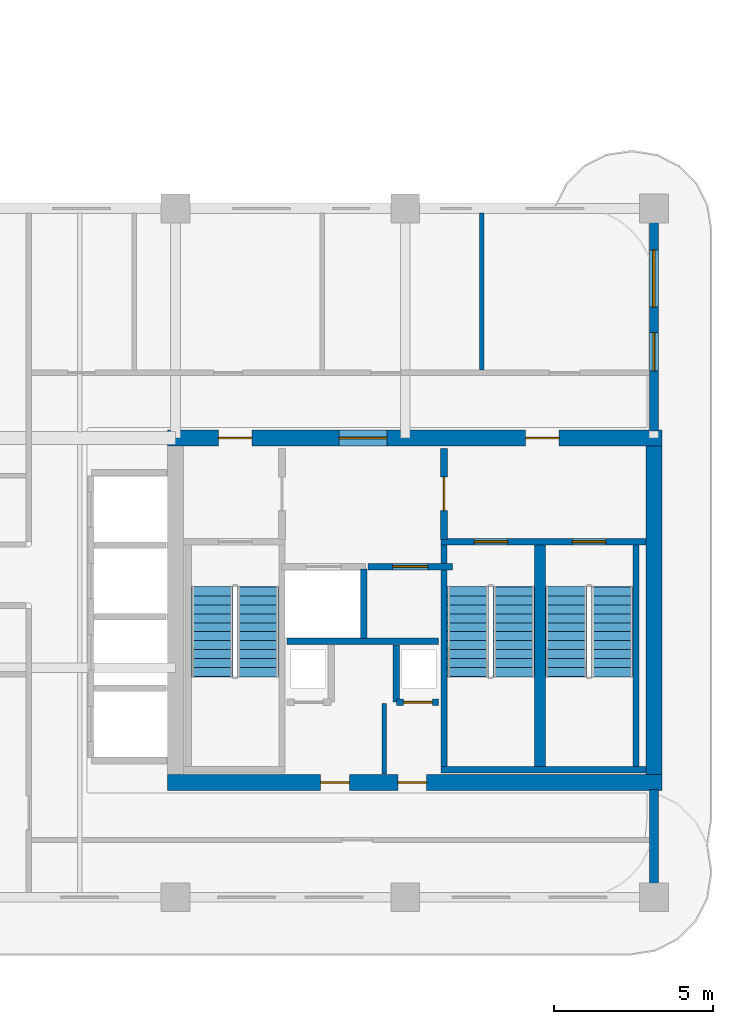
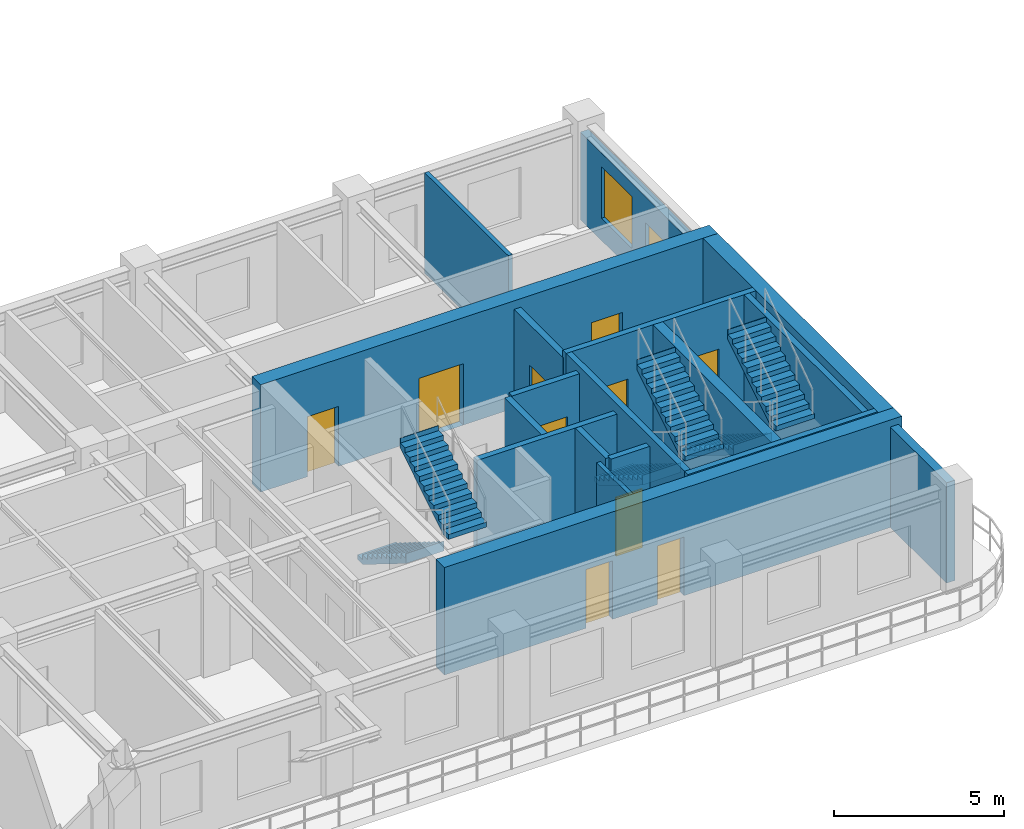
# One storey, part 5 of 8: 18 walls, 11 doors, 6 stair flights, 1 window, 12 openings, 3 elements without a shape of their own.
"""IFC4 building model written with IfcOpenShell, lengths in metres."""

import ifcopenshell
import ifcopenshell.guid

model = None  # the IFC model being written
_history = None  # IfcOwnerHistory: only IFC2X3 demands one
_inside = {}  # id of a spatial element -> (the spatial element, [elements in it])
_under = {}  # id of a project, library or spatial element -> (it, [spatial elements below it])
_declared = {}  # id of a project -> (the project, [libraries it declares])
_typed = {}  # id of a type object -> (the type object, [elements of that type])
_made_of = {}  # id of a material, layer set ... -> (it, [elements and type objects made of it])


def new_model(schema):
    """Start an empty IFC model of exactly this schema.

    Asked for "IFC4X3", IfcOpenShell would pick the latest addendum, in which some entities
    have other attributes; the version numbers below select the first issue.
    IFC2X3 requires an IfcOwnerHistory on every rooted entity: one is made here for all.
    """
    global model, _history
    if schema == "IFC4X3":
        model = ifcopenshell.file(schema_version=(4, 3, 0, 0))
    else:
        model = ifcopenshell.file(schema=schema)
    _inside.clear()
    _under.clear()
    _declared.clear()
    _typed.clear()
    _made_of.clear()
    _history = None
    if model.schema == "IFC2X3":
        org = make("IfcOrganization", Name="unknown")
        user = make(
            "IfcPersonAndOrganization",
            ThePerson=make("IfcPerson", FamilyName="unknown"),
            TheOrganization=org,
        )
        app = make(
            "IfcApplication",
            ApplicationDeveloper=org,
            Version="unknown",
            ApplicationFullName="unknown",
            ApplicationIdentifier="unknown",
        )
        _history = make(
            "IfcOwnerHistory",
            OwningUser=user,
            OwningApplication=app,
            ChangeAction="ADDED",
            CreationDate=0,
        )
    return model


def make(cls, **values):
    """One entity of the class cls with the attributes given. An attribute that is None is left unset."""
    return model.create_entity(
        cls, **{name: value for name, value in values.items() if value is not None}
    )


def rooted(cls, **values):
    """An entity with a GlobalId (a new one), such as an element, a storey or a relation."""
    return make(cls, GlobalId=ifcopenshell.guid.new(), OwnerHistory=_history, **values)


def si_unit(unit_type, name, prefix=None):
    """IfcSIUnit, for example si_unit("LENGTHUNIT", "METRE", prefix="MILLI")."""
    return make("IfcSIUnit", UnitType=unit_type, Prefix=prefix, Name=name)


def derived_unit(unit_type, elements):
    """IfcDerivedUnit: a product of units, each with its exponent."""
    return make(
        "IfcDerivedUnit",
        Elements=[
            make("IfcDerivedUnitElement", Unit=unit, Exponent=power)
            for unit, power in elements
        ],
        UnitType=unit_type,
    )


def assignment(units):
    """IfcUnitAssignment: the units of a project."""
    return None if units is None else make("IfcUnitAssignment", Units=units)


def point(xyz):
    """IfcCartesianPoint."""
    return None if xyz is None else make("IfcCartesianPoint", Coordinates=xyz)


def direction(xyz):
    """IfcDirection."""
    return None if xyz is None else make("IfcDirection", DirectionRatios=xyz)


def frame(location, z_axis=None, x_axis=None):
    """IfcAxis2Placement3D, a coordinate frame: its origin and axes. An axis left out is left unset."""
    return make(
        "IfcAxis2Placement3D",
        Location=point(location),
        Axis=direction(z_axis),
        RefDirection=direction(x_axis),
    )


def frame_2d(location, x_axis=None):
    """IfcAxis2Placement2D, a coordinate frame in the plane: its origin and x axis."""
    return make(
        "IfcAxis2Placement2D", Location=point(location), RefDirection=direction(x_axis)
    )


def origin():
    """The frame at (0, 0, 0) with its axes left unset."""
    return frame((0.0, 0.0, 0.0))


def place(relative_to, where):
    """IfcLocalPlacement: puts the frame where relative to a parent placement (None: the world)."""
    return make(
        "IfcLocalPlacement", PlacementRelTo=relative_to, RelativePlacement=where
    )


def context(
    kind, dimensions, precision=None, world=None, true_north=None, identifier=None
):
    """IfcGeometricRepresentationContext, for example the 3D "Model" context."""
    return make(
        "IfcGeometricRepresentationContext",
        ContextIdentifier=identifier,
        ContextType=kind,
        CoordinateSpaceDimension=dimensions,
        Precision=precision,
        WorldCoordinateSystem=world,
        TrueNorth=true_north,
    )


def subcontext(parent, identifier, kind, view, scale=None):
    """IfcGeometricRepresentationSubContext, for example "Body" below "Model"."""
    return make(
        "IfcGeometricRepresentationSubContext",
        ContextIdentifier=identifier,
        ContextType=kind,
        ParentContext=parent,
        TargetScale=scale,
        TargetView=view,
    )


def project(units=None, contexts=None):
    """IfcProject with its units and contexts."""
    return rooted(
        "IfcProject",
        Name="project",
        RepresentationContexts=contexts,
        UnitsInContext=assignment(units),
    )


def spatial(cls, under=None, at=None, **own):
    """A site, building, storey or space (cls), placed at a placement, below another one or the project."""
    s = rooted(cls, ObjectPlacement=at, **own)
    if under is not None:
        _under.setdefault(under.id(), (under, []))[1].append(s)
    return s


def polyline(points):
    """IfcPolyline through the points."""
    return make("IfcPolyline", Points=[point(p) for p in points])


def profile(cls, at=None, kind="AREA", **sizes):
    """A parametric profile (cls). Its sizes go by their IFC names, for example OverallWidth=200.0."""
    return make(cls, ProfileType=kind, Position=at, **sizes)


def rectangle(**sizes):
    """IfcRectangleProfileDef."""
    return profile("IfcRectangleProfileDef", **sizes)


def outline(outer, holes=None, kind="AREA"):
    """IfcArbitraryClosedProfileDef: a profile drawn as a closed curve; with holes, ...WithVoids."""
    if holes is None:
        return make("IfcArbitraryClosedProfileDef", ProfileType=kind, OuterCurve=outer)
    return make(
        "IfcArbitraryProfileDefWithVoids",
        ProfileType=kind,
        OuterCurve=outer,
        InnerCurves=holes,
    )


def extrude(swept, where, along, depth):
    """IfcExtrudedAreaSolid: the profile swept, set in the frame where, extruded along a direction by depth."""
    return make(
        "IfcExtrudedAreaSolid",
        SweptArea=swept,
        Position=where,
        ExtrudedDirection=direction(along),
        Depth=depth,
    )


def shape(context_of_items, identifier, shape_type, items):
    """IfcShapeRepresentation: the items that make up one representation, for example the "Body"."""
    return make(
        "IfcShapeRepresentation",
        ContextOfItems=context_of_items,
        RepresentationIdentifier=identifier,
        RepresentationType=shape_type,
        Items=items,
    )


def source(mapping_origin, context_of_items, identifier, shape_type, items):
    """IfcRepresentationMap: a shape defined once, which mapped items show again and again."""
    return make(
        "IfcRepresentationMap",
        MappingOrigin=mapping_origin,
        MappedRepresentation=shape(context_of_items, identifier, shape_type, items),
    )


def transform(
    local_origin,
    x_axis=None,
    y_axis=None,
    z_axis=None,
    scale=None,
    scale2=None,
    scale3=None,
    uniform=True,
):
    """IfcCartesianTransformationOperator3D, or its non-uniform kind. x_axis, y_axis, z_axis: its Axis1, 2, 3."""
    if uniform:
        return make(
            "IfcCartesianTransformationOperator3D",
            Axis1=direction(x_axis),
            Axis2=direction(y_axis),
            LocalOrigin=point(local_origin),
            Scale=scale,
            Axis3=direction(z_axis),
        )
    return make(
        "IfcCartesianTransformationOperator3DnonUniform",
        Axis1=direction(x_axis),
        Axis2=direction(y_axis),
        LocalOrigin=point(local_origin),
        Scale=scale,
        Axis3=direction(z_axis),
        Scale2=scale2,
        Scale3=scale3,
    )


def mapped(mapping_source, mapping_target):
    """IfcMappedItem: shows the shape of a source again, moved by a transform."""
    return make(
        "IfcMappedItem", MappingSource=mapping_source, MappingTarget=mapping_target
    )


def material(Name=None, Category=None):
    """IfcMaterial."""
    return make("IfcMaterial", Name=Name, Category=Category)


def layer(
    of_material, thickness, ventilated=None, Name=None, Category=None, Priority=None
):
    """IfcMaterialLayer: one layer of a wall or slab, of a material (None: an air gap)."""
    return make(
        "IfcMaterialLayer",
        Material=of_material,
        LayerThickness=thickness,
        IsVentilated=ventilated,
        Name=Name,
        Category=Category,
        Priority=Priority,
    )


def layer_set(layers, Name=None):
    """IfcMaterialLayerSet."""
    return make("IfcMaterialLayerSet", MaterialLayers=layers, LayerSetName=Name)


def made_of(thing, what):
    """Note that an element or type object is made of a material, layer set ...; save() writes the relation."""
    if what is not None:
        _made_of.setdefault(what.id(), (what, []))[1].append(thing)
    return thing


def type_object(cls, material=None, **own):
    """A type object (cls), such as IfcWallType, which elements share."""
    return made_of(rooted(cls, **own), material)


def type_shapes(of_type, sources):
    """Give a type object the sources (RepresentationMaps) that its elements show as mapped items."""
    of_type.RepresentationMaps = sources


def element(
    cls,
    number,
    at=None,
    inside=None,
    cuts=None,
    type_object=None,
    material=None,
    context=None,
    identifier="Body",
    shape_type=None,
    held_by="IfcProductDefinitionShape",
    body=None,
    shapes=None,
    **own,
):
    """One element of the class cls, such as IfcWall. Its Tag is "e" and its number.

    at: its placement. inside: the storey or other place that contains it. cuts: it is an
    opening in that element (IfcRelVoidsElement). A single representation is given by context,
    identifier, shape_type and body (its items); several are given by shapes. held_by: the class
    of the entity that holds the representations. save() writes the other relations.
    """
    e = rooted(cls, Tag="e%d" % number, ObjectPlacement=at, **own)
    if body is not None:
        shapes = [shape(context, identifier, shape_type, body)]
    if shapes is not None:
        e.Representation = make(held_by, Representations=shapes)
    if inside is not None:
        _inside.setdefault(inside.id(), (inside, []))[1].append(e)
    if cuts is not None:
        rooted(
            "IfcRelVoidsElement", RelatingBuildingElement=cuts, RelatedOpeningElement=e
        )
    if type_object is not None:
        _typed.setdefault(type_object.id(), (type_object, []))[1].append(e)
    return made_of(e, material)


def fill(opening, filler):
    """IfcRelFillsElement: the door or window that sits in an opening."""
    return rooted(
        "IfcRelFillsElement",
        RelatingOpeningElement=opening,
        RelatedBuildingElement=filler,
    )


def aggregate(whole, parts):
    """IfcRelAggregates: a whole, such as a stair, and the parts it consists of."""
    return rooted("IfcRelAggregates", RelatingObject=whole, RelatedObjects=parts)


def save(model, path):
    """Write the relations noted so far, then the file.

    IfcRelAggregates (storeys below a building ...), IfcRelContainedInSpatialStructure (elements
    in a storey), IfcRelDefinesByType, IfcRelAssociatesMaterial and IfcRelDeclares: one each for
    every whole, place, type object, material and project.
    """
    for whole, parts in _under.values():
        aggregate(whole, parts)
    for where, things in _inside.values():
        rooted(
            "IfcRelContainedInSpatialStructure",
            RelatedElements=things,
            RelatingStructure=where,
        )
    for kind, things in _typed.values():
        rooted("IfcRelDefinesByType", RelatedObjects=things, RelatingType=kind)
    for what, things in _made_of.values():
        rooted("IfcRelAssociatesMaterial", RelatedObjects=things, RelatingMaterial=what)
    for by, libraries in _declared.values():
        rooted("IfcRelDeclares", RelatingContext=by, RelatedDefinitions=libraries)
    model.write(path)


model = new_model("IFC4")

# Units and contexts
model_context = context("Model", 3, precision=1e-05, world=origin(), true_north=direction((0.0, 1.0)))
body_context = subcontext(model_context, "Body", "Model", "MODEL_VIEW")
ifc_project = project(units=[si_unit("LENGTHUNIT", "METRE"), si_unit("AREAUNIT", "SQUARE_METRE"), si_unit("VOLUMEUNIT", "CUBIC_METRE"), si_unit("PLANEANGLEUNIT", "RADIAN"), si_unit("MASSUNIT", "GRAM", prefix="KILO"), si_unit("THERMODYNAMICTEMPERATUREUNIT", "KELVIN"), si_unit("POWERUNIT", "WATT"), derived_unit("THERMALTRANSMITTANCEUNIT", [(si_unit("POWERUNIT", "WATT"), 1), (si_unit("AREAUNIT", "SQUARE_METRE"), -1), (si_unit("THERMODYNAMICTEMPERATUREUNIT", "KELVIN"), -1)])], contexts=[model_context])

# Site, building, storey
site_placement = place(None, origin())
site = spatial("IfcSite", under=ifc_project, at=site_placement, CompositionType="ELEMENT")
building_placement = place(site_placement, origin())
building = spatial("IfcBuilding", under=site, at=building_placement, Name="Zahravan Archway Hotel and Residences", CompositionType="ELEMENT")
storey_placement = place(building_placement, frame((0.0, 0.0, 213.449951171875)))
storey = spatial("IfcBuildingStorey", under=building, at=storey_placement, Name="L53", CompositionType="ELEMENT", Elevation=213.449951171875)

# Wall, openings, doors
ifc_material_1 = material(Name="Concrete C60/75", Category="concrete")
ifc_layer_1 = layer(ifc_material_1, 0.5, Name="Concrete C60/75", Category="concrete")
ifc_layer_set_1 = layer_set([ifc_layer_1], Name="Concrete C60/75")
wall_type_1 = type_object("IfcWallType", Name="CW-CORE-500", PredefinedType="SHEAR", material=ifc_layer_set_1)
wall_1_placement = place(storey_placement, frame((34.550048828125, 3.60009765625, 0.0), z_axis=(0.0, 0.0, 1.0), x_axis=(1.0, 0.0, 0.0)))
wall_1 = element("IfcWall", 1, at=wall_1_placement, inside=storey, type_object=wall_type_1, Name="L53 Core A Shear S Wall 500 mm", PredefinedType="SHEAR", context=body_context, shape_type="SweptSolid", body=[
    extrude(rectangle(XDim=15.5, YDim=0.5, at=frame_2d((7.75, 0.0))), origin(), (0.0, 0.0, 1.0), 3.85009765625),
])
opening_1_placement = place(wall_1_placement, frame((4.800048828125, 0.0, 0.0)))
opening_1 = element("IfcOpeningElement", 2, at=opening_1_placement, cuts=wall_1, Name="Opening FD-R1", PredefinedType="OPENING", context=body_context, shape_type="SweptSolid", body=[
    extrude(rectangle(XDim=0.89990234375, YDim=2.10009765625, at=frame_2d((0.449951171875, 1.050048828125))), frame((0.0, 0.260009765625, 0.0), z_axis=(0.0, -1.0, 0.0), x_axis=(1.0, 0.0, 0.0)), (0.0, 0.0, 1.0), 0.52001953125),
])
opening_2_placement = place(wall_1_placement, frame((7.219970703125, 0.0, 0.0)))
opening_2 = element("IfcOpeningElement", 3, at=opening_2_placement, cuts=wall_1, Name="Opening FD-R1", PredefinedType="OPENING", context=body_context, shape_type="SweptSolid", body=[
    extrude(rectangle(XDim=0.89990234375, YDim=2.10009765625, at=frame_2d((0.449951171875, 1.050048828125))), frame((0.0, 0.260009765625, 0.0), z_axis=(0.0, -1.0, 0.0), x_axis=(1.0, 0.0, 0.0)), (0.0, 0.0, 1.0), 0.52001953125),
])
ifc_material_2 = material(Name="Fire-Rated Painted Steel", Category="steel")
door_type_1 = type_object("IfcDoorType", Name="FD-RISER-900", OperationType="NOTDEFINED", PredefinedType="DOOR", material=ifc_material_2)
shared_shape_1 = source(origin(), body_context, "Body", "SweptSolid", [
    extrude(rectangle(XDim=0.89990234375, YDim=2.10009765625, at=frame_2d((0.449951171875, 1.050048828125))), frame((0.0, 0.02490234375, 0.0), z_axis=(0.0, -1.0, 0.0), x_axis=(1.0, 0.0, 0.0)), (0.0, 0.0, 1.0), 0.050048828125),
])
type_shapes(door_type_1, [shared_shape_1])
door_1_placement = place(opening_1_placement, origin())
door_1 = element("IfcDoor", 4, at=door_1_placement, inside=storey, type_object=door_type_1, Name="L53 Service Pantry Door", OperationType="SINGLE_SWING_LEFT", OverallHeight=2.10009765625, OverallWidth=0.89990234375, PredefinedType="DOOR", context=body_context, shape_type="MappedRepresentation", body=[
    mapped(shared_shape_1, transform((0.0, 0.0, 0.0), scale=1.0)),
])
fill(opening_1, door_1)
door_2_placement = place(opening_2_placement, origin())
door_2 = element("IfcDoor", 5, at=door_2_placement, inside=storey, type_object=door_type_1, Name="L53 Fibre ELV Riser Door", OperationType="SINGLE_SWING_RIGHT", OverallHeight=2.10009765625, OverallWidth=0.89990234375, PredefinedType="DOOR", context=body_context, shape_type="MappedRepresentation", body=[
    mapped(shared_shape_1, transform((0.0, 0.0, 0.0), scale=1.0)),
])
fill(opening_2, door_2)

wall_2_placement = place(storey_placement, frame((34.550048828125, 14.39990234375, 0.0), z_axis=(0.0, 0.0, 1.0), x_axis=(1.0, 0.0, 0.0)))
wall_2 = element("IfcWall", 6, at=wall_2_placement, inside=storey, type_object=wall_type_1, Name="L53 Core A Shear N Wall 500 mm", PredefinedType="SHEAR", context=body_context, shape_type="SweptSolid", body=[
    extrude(rectangle(XDim=15.5, YDim=0.5, at=frame_2d((7.75, 0.0))), origin(), (0.0, 0.0, 1.0), 3.85009765625),
])
opening_3_placement = place(wall_2_placement, frame((5.3798828125, 0.0, 0.0)))
opening_3 = element("IfcOpeningElement", 7, at=opening_3_placement, cuts=wall_2, Name="Opening FD-L1", PredefinedType="OPENING", context=body_context, shape_type="SweptSolid", body=[
    extrude(rectangle(XDim=1.5, YDim=2.199951171875, at=frame_2d((0.75, 1.10009765625))), frame((0.0, 0.260009765625, 0.0), z_axis=(0.0, -1.0, 0.0), x_axis=(1.0, 0.0, 0.0)), (0.0, 0.0, 1.0), 0.52001953125),
])
opening_4_placement = place(wall_2_placement, frame((1.594970703125, 0.0, 0.0)))
opening_4 = element("IfcOpeningElement", 8, at=opening_4_placement, cuts=wall_2, Name="Opening FD-L2", PredefinedType="OPENING", context=body_context, shape_type="SweptSolid", body=[
    extrude(rectangle(XDim=1.050048828125, YDim=2.14990234375, at=frame_2d((0.52490234375, 1.074951171875))), frame((0.0, 0.260009765625, 0.0), z_axis=(0.0, -1.0, 0.0), x_axis=(1.0, 0.0, 0.0)), (0.0, 0.0, 1.0), 0.52001953125),
])
opening_5_placement = place(wall_2_placement, frame((11.22509765625, 0.0, 0.0)))
opening_5 = element("IfcOpeningElement", 9, at=opening_5_placement, cuts=wall_2, Name="Opening FD-L2", PredefinedType="OPENING", context=body_context, shape_type="SweptSolid", body=[
    extrude(rectangle(XDim=1.050048828125, YDim=2.14990234375, at=frame_2d((0.52490234375, 1.074951171875))), frame((0.0, 0.260009765625, 0.0), z_axis=(0.0, -1.0, 0.0), x_axis=(1.0, 0.0, 0.0)), (0.0, 0.0, 1.0), 0.52001953125),
])
door_type_2 = type_object("IfcDoorType", Name="FD-LOBBY-1100", OperationType="NOTDEFINED", PredefinedType="DOOR", material=ifc_material_2)
shared_shape_2 = source(origin(), body_context, "Body", "SweptSolid", [
    extrude(rectangle(XDim=1.050048828125, YDim=2.14990234375, at=frame_2d((0.52490234375, 1.074951171875))), frame((0.0, 0.02490234375, 0.0), z_axis=(0.0, -1.0, 0.0), x_axis=(1.0, 0.0, 0.0)), (0.0, 0.0, 1.0), 0.050048828125),
])
type_shapes(door_type_2, [shared_shape_2])
door_3_placement = place(opening_4_placement, origin())
door_3 = element("IfcDoor", 10, at=door_3_placement, inside=storey, type_object=door_type_2, Name="L53 Core A West Stair Lobby Door", OperationType="SINGLE_SWING_LEFT", OverallHeight=2.14990234375, OverallWidth=1.050048828125, PredefinedType="DOOR", context=body_context, shape_type="MappedRepresentation", body=[
    mapped(shared_shape_2, transform((0.0, 0.0, 0.0), scale=1.0)),
])
fill(opening_4, door_3)
door_4_placement = place(opening_5_placement, origin())
door_4 = element("IfcDoor", 11, at=door_4_placement, inside=storey, type_object=door_type_2, Name="L53 Core A East Stair Lobby Door", OperationType="SINGLE_SWING_RIGHT", OverallHeight=2.14990234375, OverallWidth=1.050048828125, PredefinedType="DOOR", context=body_context, shape_type="MappedRepresentation", body=[
    mapped(shared_shape_2, transform((0.0, 0.0, 0.0), scale=1.0)),
])
fill(opening_5, door_4)
door_type_3 = type_object("IfcDoorType", Name="FD-LOBBY-1500", OperationType="DOUBLE_DOOR_SINGLE_SWING", PredefinedType="DOOR", material=ifc_material_2)
shared_shape_3 = source(origin(), body_context, "Body", "SweptSolid", [
    extrude(rectangle(XDim=1.5, YDim=2.199951171875, at=frame_2d((0.75, 1.10009765625))), frame((0.0, 0.02490234375, 0.0), z_axis=(0.0, -1.0, 0.0), x_axis=(1.0, 0.0, 0.0)), (0.0, 0.0, 1.0), 0.050048828125),
])
type_shapes(door_type_3, [shared_shape_3])
door_5_placement = place(opening_3_placement, origin())
door_5 = element("IfcDoor", 12, at=door_5_placement, inside=storey, type_object=door_type_3, Name="L53 Core A FSAE Lobby Main Door", OperationType="DOUBLE_DOOR_SINGLE_SWING", OverallHeight=2.199951171875, OverallWidth=1.5, PredefinedType="DOOR", context=body_context, shape_type="MappedRepresentation", body=[
    mapped(shared_shape_3, transform((0.0, 0.0, 0.0), scale=1.0)),
])
fill(opening_3, door_5)

# Walls
wall_3_placement = place(storey_placement, frame((49.800048828125, 3.85009765625, 0.0), z_axis=(0.0, 0.0, 1.0), x_axis=(0.0, 1.0, 0.0)))
element("IfcWall", 13, at=wall_3_placement, inside=storey, type_object=wall_type_1, Name="L53 Core A Shear E Wall 500 mm", PredefinedType="SHEAR", context=body_context, shape_type="SweptSolid", body=[
    extrude(rectangle(XDim=10.2998046875, YDim=0.5, at=frame_2d((5.14990234375, 0.0))), origin(), (0.0, 0.0, 1.0), 3.85009765625),
])
ifc_material_3 = material(Name="Honed Red-Ochre Sandstone & Insulated Block", Category="masonry")
ifc_layer_2 = layer(ifc_material_3, 0.280029296875, Name="Honed Red-Ochre Sandstone & Insulated Block", Category="masonry")
ifc_layer_set_2 = layer_set([ifc_layer_2], Name="Honed Red-Ochre Sandstone & Insulated Block")
wall_type_2 = type_object("IfcWallType", Name="EW-LOG-280", PredefinedType="SOLIDWALL", material=ifc_layer_set_2)
wall_4_placement = place(storey_placement, frame((49.800048828125, 0.050048828125, 0.0), z_axis=(0.0, 0.0, 1.0), x_axis=(0.0, 1.0, 0.0)))
element("IfcWall", 14, at=wall_4_placement, inside=storey, type_object=wall_type_2, Name="L53 Exterior Sandstone Wall WA-ES", PredefinedType="SOLIDWALL", context=body_context, shape_type="SweptSolid", body=[
    extrude(rectangle(XDim=3.329833984375, YDim=0.280029296875, at=frame_2d((1.6650390625, 0.0))), origin(), (0.0, 0.0, 1.0), 3.60009765625),
])

# Wall, openings, door, window
wall_5_placement = place(storey_placement, frame((49.800048828125, 14.6201171875, 0.0), z_axis=(0.0, 0.0, 1.0), x_axis=(0.0, 1.0, 0.0)))
wall_5 = element("IfcWall", 15, at=wall_5_placement, inside=storey, type_object=wall_type_2, Name="L53 Exterior Sandstone Wall WA-EN", PredefinedType="SOLIDWALL", context=body_context, shape_type="SweptSolid", body=[
    extrude(rectangle(XDim=6.929931640625, YDim=0.280029296875, at=frame_2d((3.46484375, 0.0))), origin(), (0.0, 0.0, 1.0), 3.135009765625),
])
opening_6_placement = place(wall_5_placement, frame((1.888916015625, 0.0, 0.0)))
opening_6 = element("IfcOpeningElement", 16, at=opening_6_placement, cuts=wall_5, Name="Opening ED-BL1", PredefinedType="OPENING", context=body_context, shape_type="SweptSolid", body=[
    extrude(rectangle(XDim=1.199951171875, YDim=2.199951171875, at=frame_2d((0.60009765625, 1.10009765625))), frame((0.0, 0.14990234375, 0.0), z_axis=(0.0, -1.0, 0.0), x_axis=(1.0, 0.0, 0.0)), (0.0, 0.0, 1.0), 0.300048828125),
])
opening_7_placement = place(wall_5_placement, frame((3.884033203125, 0.0, 0.800048828125)))
opening_7 = element("IfcOpeningElement", 17, at=opening_7_placement, cuts=wall_5, Name="Opening W-02", PredefinedType="OPENING", context=body_context, shape_type="SweptSolid", body=[
    extrude(rectangle(XDim=1.800048828125, YDim=1.85009765625, at=frame_2d((0.89990234375, 0.925048828125))), frame((0.0, 0.14990234375, 0.0), z_axis=(0.0, -1.0, 0.0), x_axis=(1.0, 0.0, 0.0)), (0.0, 0.0, 1.0), 0.300048828125),
])
ifc_material_4 = material(Name="Bronze-Anodized Glazed Aluminium", Category="aluminium")
door_type_4 = type_object("IfcDoorType", Name="ED-BALC-1200", OperationType="SLIDING_TO_LEFT", PredefinedType="DOOR", material=ifc_material_4)
shared_shape_4 = source(origin(), body_context, "Body", "SweptSolid", [
    extrude(rectangle(XDim=1.199951171875, YDim=2.199951171875, at=frame_2d((0.60009765625, 1.10009765625))), frame((0.0, 0.02490234375, 0.0), z_axis=(0.0, -1.0, 0.0), x_axis=(1.0, 0.0, 0.0)), (0.0, 0.0, 1.0), 0.050048828125),
])
type_shapes(door_type_4, [shared_shape_4])
door_6_placement = place(opening_6_placement, origin())
door_6 = element("IfcDoor", 18, at=door_6_placement, inside=storey, type_object=door_type_4, Name="L53 Outdoor Access Sliding Door (SLB-BAL-L53-EA)", OperationType="SLIDING_TO_LEFT", OverallHeight=2.199951171875, OverallWidth=1.199951171875, PredefinedType="DOOR", context=body_context, shape_type="MappedRepresentation", body=[
    mapped(shared_shape_4, transform((0.0, 0.0, 0.0), scale=1.0)),
])
fill(opening_6, door_6)
ifc_material_5 = material(Name="Bronze-Anodized Thermal-Break Aluminium & Low-E Glass", Category="aluminium")
window_type = type_object("IfcWindowType", Name="WIN-TWR-1800", PartitioningType="DOUBLE_PANEL_VERTICAL", PredefinedType="WINDOW", material=ifc_material_5)
shared_shape_5 = source(origin(), body_context, "Body", "SweptSolid", [
    extrude(rectangle(XDim=1.800048828125, YDim=1.85009765625, at=frame_2d((0.89990234375, 0.925048828125))), frame((0.0, 0.030029296875, 0.0), z_axis=(0.0, -1.0, 0.0), x_axis=(1.0, 0.0, 0.0)), (0.0, 0.0, 1.0), 0.06005859375),
])
type_shapes(window_type, [shared_shape_5])
window_placement = place(opening_7_placement, origin())
window = element("IfcWindow", 19, at=window_placement, inside=storey, type_object=window_type, Name="L53 Loggia Window 10", OverallHeight=1.85009765625, OverallWidth=1.800048828125, PartitioningType="DOUBLE_PANEL_VERTICAL", PredefinedType="WINDOW", context=body_context, shape_type="MappedRepresentation", body=[
    mapped(shared_shape_5, transform((0.0, 0.0, 0.0), scale=1.0)),
])
fill(opening_7, window)

# Wall, opening, door
ifc_material_6 = material(Name="Fire-Rated Gypsum & Concrete Block", Category="concrete")
ifc_layer_3 = layer(ifc_material_6, 0.219970703125, Name="Fire-Rated Gypsum & Concrete Block", Category="concrete")
ifc_layer_set_3 = layer_set([ifc_layer_3], Name="Fire-Rated Gypsum & Concrete Block")
wall_type_3 = type_object("IfcWallType", Name="PW-COMP-220", PredefinedType="PARTITIONING", material=ifc_layer_set_3)
wall_6_placement = place(storey_placement, frame((43.219970703125, 11.219970703125, 0.0), z_axis=(0.0, 0.0, 1.0), x_axis=(0.0, 1.0, 0.0)))
wall_6 = element("IfcWall", 20, at=wall_6_placement, inside=storey, type_object=wall_type_3, Name="L53 Partition CA-LOBE", PredefinedType="PARTITIONING", context=body_context, shape_type="SweptSolid", body=[
    extrude(rectangle(XDim=2.860107421875, YDim=0.219970703125, at=frame_2d((1.43017578125, 0.0))), origin(), (0.0, 0.0, 1.0), 3.60009765625),
])
opening_8_placement = place(wall_6_placement, frame((0.905029296875, 0.0, 0.0)))
opening_8 = element("IfcOpeningElement", 21, at=opening_8_placement, cuts=wall_6, Name="Opening FD-L2", PredefinedType="OPENING", context=body_context, shape_type="SweptSolid", body=[
    extrude(rectangle(XDim=1.050048828125, YDim=2.14990234375, at=frame_2d((0.52490234375, 1.074951171875))), frame((0.0, 0.1201171875, 0.0), z_axis=(0.0, -1.0, 0.0), x_axis=(1.0, 0.0, 0.0)), (0.0, 0.0, 1.0), 0.239990234375),
])
door_7_placement = place(opening_8_placement, origin())
door_7 = element("IfcDoor", 22, at=door_7_placement, inside=storey, type_object=door_type_2, Name="L53 Core A East Stair to FSAE Lobby Door", OperationType="SINGLE_SWING_RIGHT", OverallHeight=2.14990234375, OverallWidth=1.050048828125, PredefinedType="DOOR", context=body_context, shape_type="MappedRepresentation", body=[
    mapped(shared_shape_2, transform((0.0, 0.0, 0.0), scale=1.0)),
])
fill(opening_8, door_7)

# Walls
ifc_layer_4 = layer(ifc_material_6, 0.199951171875, Name="Fire-Rated Gypsum & Concrete Block", Category="concrete")
ifc_layer_set_4 = layer_set([ifc_layer_4], Name="Fire-Rated Gypsum & Concrete Block")
wall_type_4 = type_object("IfcWallType", Name="PW-SHAFT-200", PredefinedType="PARTITIONING", material=ifc_layer_set_4)
wall_7_placement = place(storey_placement, frame((38.300048828125, 8.030029296875, 0.0), z_axis=(0.0, 0.0, 1.0), x_axis=(1.0, 0.0, 0.0)))
element("IfcWall", 23, at=wall_7_placement, inside=storey, type_object=wall_type_4, Name="L53 Partition CA-FLS", PredefinedType="PARTITIONING", context=body_context, shape_type="SweptSolid", body=[
    extrude(rectangle(XDim=4.739990234375, YDim=0.199951171875, at=frame_2d((2.3701171875, 0.0))), origin(), (0.0, 0.0, 1.0), 3.60009765625),
])
wall_8_placement = place(storey_placement, frame((40.699951171875, 8.1201171875, 0.0), z_axis=(0.0, 0.0, 1.0), x_axis=(0.0, 1.0, 0.0)))
element("IfcWall", 24, at=wall_8_placement, inside=storey, type_object=wall_type_4, Name="L53 Partition CA-FLM", PredefinedType="PARTITIONING", context=body_context, shape_type="SweptSolid", body=[
    extrude(rectangle(XDim=2.179931640625, YDim=0.199951171875, at=frame_2d((1.08984375, 0.0))), origin(), (0.0, 0.0, 1.0), 3.60009765625),
])

# Wall, opening, door
wall_9_placement = place(storey_placement, frame((41.72998046875, 6.1201171875, 0.0), z_axis=(0.0, 0.0, 1.0), x_axis=(1.0, 0.0, 0.0)))
wall_9 = element("IfcWall", 25, at=wall_9_placement, inside=storey, type_object=wall_type_4, Name="L53 Partition CA-MEPS", PredefinedType="PARTITIONING", context=body_context, shape_type="SweptSolid", body=[
    extrude(rectangle(XDim=1.320068359375, YDim=0.199951171875, at=frame_2d((0.66015625, 0.0))), origin(), (0.0, 0.0, 1.0), 3.60009765625),
])
opening_9_placement = place(wall_9_placement, frame((0.219970703125, 0.0, 0.0)))
opening_9 = element("IfcOpeningElement", 26, at=opening_9_placement, cuts=wall_9, Name="Opening FD-R1", PredefinedType="OPENING", context=body_context, shape_type="SweptSolid", body=[
    extrude(rectangle(XDim=0.89990234375, YDim=2.10009765625, at=frame_2d((0.449951171875, 1.050048828125))), frame((0.0, 0.10986328125, 0.0), z_axis=(0.0, -1.0, 0.0), x_axis=(1.0, 0.0, 0.0)), (0.0, 0.0, 1.0), 0.219970703125),
])
door_8_placement = place(opening_9_placement, origin())
door_8 = element("IfcDoor", 27, at=door_8_placement, inside=storey, type_object=door_type_1, Name="L53 MEP Riser Access Door", OperationType="SINGLE_SWING_RIGHT", OverallHeight=2.10009765625, OverallWidth=0.89990234375, PredefinedType="DOOR", context=body_context, shape_type="MappedRepresentation", body=[
    mapped(shared_shape_1, transform((0.0, 0.0, 0.0), scale=1.0)),
])
fill(opening_9, door_8)

# Wall
wall_10_placement = place(storey_placement, frame((41.719970703125, 6.1298828125, 0.0), z_axis=(0.0, 0.0, 1.0), x_axis=(0.0, 1.0, 0.0)))
element("IfcWall", 28, at=wall_10_placement, inside=storey, type_object=wall_type_4, Name="L53 Partition CA-MEPW", PredefinedType="PARTITIONING", context=body_context, shape_type="SweptSolid", body=[
    extrude(rectangle(XDim=1.7900390625, YDim=0.199951171875, at=frame_2d((0.89501953125, 0.0))), origin(), (0.0, 0.0, 1.0), 3.60009765625),
])

# Wall, opening, door
wall_11_placement = place(storey_placement, frame((40.840087890625, 10.3701171875, 0.0), z_axis=(0.0, 0.0, 1.0), x_axis=(1.0, 0.0, 0.0)))
wall_11 = element("IfcWall", 29, at=wall_11_placement, inside=storey, type_object=wall_type_4, Name="L53 Lift FL-2 Front Wall", PredefinedType="PARTITIONING", context=body_context, shape_type="SweptSolid", body=[
    extrude(rectangle(XDim=2.639892578125, YDim=0.199951171875, at=frame_2d((1.31982421875, 0.0))), origin(), (0.0, 0.0, 1.0), 3.60009765625),
])
opening_10_placement = place(wall_11_placement, frame((0.77001953125, 0.0, 0.0)))
opening_10 = element("IfcOpeningElement", 30, at=opening_10_placement, cuts=wall_11, Name="Opening LD", PredefinedType="OPENING", context=body_context, shape_type="SweptSolid", body=[
    extrude(rectangle(XDim=1.10009765625, YDim=2.199951171875, at=frame_2d((0.550048828125, 1.10009765625))), frame((0.0, 0.10986328125, 0.0), z_axis=(0.0, -1.0, 0.0), x_axis=(1.0, 0.0, 0.0)), (0.0, 0.0, 1.0), 0.219970703125),
])
ifc_material_7 = material(Name="Brushed Stainless Steel", Category="steel")
door_type_5 = type_object("IfcDoorType", Name="DR-LIFT-LD", OperationType="SLIDING_TO_LEFT", PredefinedType="DOOR", material=ifc_material_7)
shared_shape_6 = source(origin(), body_context, "Body", "SweptSolid", [
    extrude(rectangle(XDim=1.10009765625, YDim=2.199951171875, at=frame_2d((0.550048828125, 1.10009765625))), frame((0.0, 0.02490234375, 0.0), z_axis=(0.0, -1.0, 0.0), x_axis=(1.0, 0.0, 0.0)), (0.0, 0.0, 1.0), 0.050048828125),
])
type_shapes(door_type_5, [shared_shape_6])
door_9_placement = place(opening_10_placement, origin())
door_9 = element("IfcDoor", 31, at=door_9_placement, inside=storey, type_object=door_type_5, Name="L53 Lift FL-2 Sliding Landing Door", OperationType="SLIDING_TO_LEFT", OverallHeight=2.199951171875, OverallWidth=1.10009765625, PredefinedType="DOOR", context=body_context, shape_type="MappedRepresentation", body=[
    mapped(shared_shape_6, transform((0.0, 0.0, 0.0), scale=1.0)),
])
fill(opening_10, door_9)

# Walls
ifc_material_8 = material(Name="Moisture-Resistant Blockwork", Category="masonry")
ifc_layer_5 = layer(ifc_material_8, 0.139892578125, Name="Moisture-Resistant Blockwork", Category="masonry")
ifc_layer_set_5 = layer_set([ifc_layer_5], Name="Moisture-Resistant Blockwork")
wall_type_5 = type_object("IfcWallType", Name="PW-WET-140", PredefinedType="PARTITIONING", material=ifc_layer_set_5)
wall_12_placement = place(storey_placement, frame((41.35009765625, 3.8701171875, 0.0), z_axis=(0.0, 0.0, 1.0), x_axis=(0.0, 1.0, 0.0)))
element("IfcWall", 32, at=wall_12_placement, inside=storey, type_object=wall_type_5, Name="L53 Partition CA-CV3", PredefinedType="PARTITIONING", context=body_context, shape_type="SweptSolid", body=[
    extrude(rectangle(XDim=2.2099609375, YDim=0.139892578125, at=frame_2d((1.10498046875, 0.0))), origin(), (0.0, 0.0, 1.0), 3.60009765625),
])
wall_13_placement = place(storey_placement, frame((44.39990234375, 16.5400390625, 0.0), z_axis=(0.0, 0.0, 1.0), x_axis=(0.0, 1.0, 0.0)))
element("IfcWall", 33, at=wall_13_placement, inside=storey, type_object=wall_type_5, Name="L53 Partition NE2-3", PredefinedType="PARTITIONING", context=body_context, shape_type="SweptSolid", body=[
    extrude(rectangle(XDim=4.911865234375, YDim=0.139892578125, at=frame_2d((2.4560546875, 0.0))), origin(), (0.0, 0.0, 1.0), 3.60009765625),
])
ifc_material_9 = material(Name="Concrete C50/60", Category="concrete")
ifc_layer_6 = layer(ifc_material_9, 0.199951171875, Name="Concrete C50/60", Category="concrete")
ifc_layer_set_6 = layer_set([ifc_layer_6], Name="Concrete C50/60")
wall_type_6 = type_object("IfcWallType", Name="SW-STAIR-200", PredefinedType="SHEAR", material=ifc_layer_set_6)
wall_14_placement = place(storey_placement, frame((43.1201171875, 4.0, 0.0), z_axis=(0.0, 0.0, 1.0), x_axis=(1.0, 0.0, 0.0)))
element("IfcWall", 34, at=wall_14_placement, inside=storey, type_object=wall_type_6, Name="L53 Stairwell RC Wall CA-SA23S", PredefinedType="SHEAR", context=body_context, shape_type="SweptSolid", body=[
    extrude(rectangle(XDim=6.429931640625, YDim=0.199951171875, at=frame_2d((3.21484375, 0.0))), origin(), (0.0, 0.0, 1.0), 3.85009765625),
])
for number, where, z_axis, x_axis, name in (
    (35, (43.219970703125, 4.10009765625, 0.0), (0.0, 0.0, 1.0), (0.0, 1.0, 0.0), "L53 Stairwell RC Wall CA-SA2W"),
    (36, (49.239990234375, 4.10009765625, 0.0), (0.0, 0.0, 1.0), (0.0, 1.0, 0.0), "L53 Stairwell RC Wall CA-SA3E"),
):
    element("IfcWall", number, at=place(storey_placement, frame(where, z_axis=z_axis, x_axis=x_axis)), inside=storey, type_object=wall_type_6, Name=name, PredefinedType="SHEAR", context=body_context, shape_type="SweptSolid", body=[
        extrude(rectangle(XDim=6.949951171875, YDim=0.199951171875, at=frame_2d((3.47509765625, 0.0))), origin(), (0.0, 0.0, 1.0), 3.85009765625),
    ])

# Wall, openings, doors
wall_15_placement = place(storey_placement, frame((43.1201171875, 11.14990234375, 0.0), z_axis=(0.0, 0.0, 1.0), x_axis=(1.0, 0.0, 0.0)))
wall_15 = element("IfcWall", 37, at=wall_15_placement, inside=storey, type_object=wall_type_6, Name="L53 Stairwell RC Wall CA-SA23N", PredefinedType="SHEAR", context=body_context, shape_type="SweptSolid", body=[
    extrude(rectangle(XDim=6.429931640625, YDim=0.199951171875, at=frame_2d((3.21484375, 0.0))), origin(), (0.0, 0.0, 1.0), 3.85009765625),
])
opening_11_placement = place(wall_15_placement, frame((1.044921875, 0.0, 0.0)))
opening_11 = element("IfcOpeningElement", 38, at=opening_11_placement, cuts=wall_15, Name="Opening FD-S1", PredefinedType="OPENING", context=body_context, shape_type="SweptSolid", body=[
    extrude(rectangle(XDim=1.050048828125, YDim=2.199951171875, at=frame_2d((0.52490234375, 1.10009765625))), frame((0.0, 0.10986328125, 0.0), z_axis=(0.0, -1.0, 0.0), x_axis=(1.0, 0.0, 0.0)), (0.0, 0.0, 1.0), 0.219970703125),
])
opening_12_placement = place(wall_15_placement, frame((4.125, 0.0, 0.0)))
opening_12 = element("IfcOpeningElement", 39, at=opening_12_placement, cuts=wall_15, Name="Opening FD-S1", PredefinedType="OPENING", context=body_context, shape_type="SweptSolid", body=[
    extrude(rectangle(XDim=1.050048828125, YDim=2.199951171875, at=frame_2d((0.52490234375, 1.10009765625))), frame((0.0, 0.10986328125, 0.0), z_axis=(0.0, -1.0, 0.0), x_axis=(1.0, 0.0, 0.0)), (0.0, 0.0, 1.0), 0.219970703125),
])
door_type_6 = type_object("IfcDoorType", Name="FD-STAIR-1100", OperationType="NOTDEFINED", PredefinedType="DOOR", material=ifc_material_2)
shared_shape_7 = source(origin(), body_context, "Body", "SweptSolid", [
    extrude(rectangle(XDim=1.050048828125, YDim=2.199951171875, at=frame_2d((0.52490234375, 1.10009765625))), frame((0.0, 0.02490234375, 0.0), z_axis=(0.0, -1.0, 0.0), x_axis=(1.0, 0.0, 0.0)), (0.0, 0.0, 1.0), 0.050048828125),
])
type_shapes(door_type_6, [shared_shape_7])
door_10_placement = place(opening_11_placement, origin())
door_10 = element("IfcDoor", 40, at=door_10_placement, inside=storey, type_object=door_type_6, Name="L53 Stair ST-A2 Door", OperationType="SINGLE_SWING_LEFT", OverallHeight=2.199951171875, OverallWidth=1.050048828125, PredefinedType="DOOR", context=body_context, shape_type="MappedRepresentation", body=[
    mapped(shared_shape_7, transform((0.0, 0.0, 0.0), scale=1.0)),
])
fill(opening_11, door_10)
door_11_placement = place(opening_12_placement, origin())
door_11 = element("IfcDoor", 41, at=door_11_placement, inside=storey, type_object=door_type_6, Name="L53 Stair ST-A3 Door", OperationType="SINGLE_SWING_RIGHT", OverallHeight=2.199951171875, OverallWidth=1.050048828125, PredefinedType="DOOR", context=body_context, shape_type="MappedRepresentation", body=[
    mapped(shared_shape_7, transform((0.0, 0.0, 0.0), scale=1.0)),
])
fill(opening_12, door_11)

# Wall
ifc_layer_7 = layer(ifc_material_9, 0.340087890625, Name="Concrete C50/60", Category="concrete")
ifc_layer_set_7 = layer_set([ifc_layer_7], Name="Concrete C50/60")
wall_type_7 = type_object("IfcWallType", Name="SW-STAIR-340", PredefinedType="SHEAR", material=ifc_layer_set_7)
wall_16_placement = place(storey_placement, frame((46.22998046875, 4.10009765625, 0.0), z_axis=(0.0, 0.0, 1.0), x_axis=(0.0, 1.0, 0.0)))
element("IfcWall", 42, at=wall_16_placement, inside=storey, type_object=wall_type_7, Name="L53 Stairwell RC Wall CA-SA23M", PredefinedType="SHEAR", context=body_context, shape_type="SweptSolid", body=[
    extrude(rectangle(XDim=6.949951171875, YDim=0.340087890625, at=frame_2d((3.47509765625, 0.0))), origin(), (0.0, 0.0, 1.0), 3.85009765625),
])

# Stair, stair flights
stair_type = type_object("IfcStairType", Name="STR-CORE-1300", PredefinedType="HALF_TURN_STAIR", material=ifc_material_9)
stair_1_placement = place(storey_placement, origin())
stair_1 = element("IfcStair", 43, at=stair_1_placement, inside=storey, type_object=stair_type, Name="L53 Core A Exit Stair 1", PredefinedType="HALF_TURN_STAIR")
ifc_layer_8 = layer(ifc_material_9, 0.199951171875, Name="Concrete C50/60", Category="concrete")
ifc_layer_set_8 = layer_set([ifc_layer_8], Name="Concrete C50/60")
stair_flight_type = type_object("IfcStairFlightType", Name="SFL-CORE-1300", PredefinedType="STRAIGHT", material=ifc_layer_set_8)
shared_shape_8 = source(origin(), body_context, "Body", "SweptSolid", [
    extrude(outline(polyline([(-0.01611328125, 0.0), (-0.01611328125, 0.175048828125), (0.280029296875, 0.175048828125), (0.280029296875, 0.35009765625), (0.56005859375, 0.35009765625), (0.56005859375, 0.52490234375), (0.840087890625, 0.52490234375), (0.840087890625, 0.699951171875), (1.1201171875, 0.699951171875), (1.1201171875, 0.875), (1.39990234375, 0.875), (1.39990234375, 1.050048828125), (1.679931640625, 1.050048828125), (1.679931640625, 1.22509765625), (1.9599609375, 1.22509765625), (1.9599609375, 1.39990234375), (2.239990234375, 1.39990234375), (2.239990234375, 1.574951171875), (2.52001953125, 1.574951171875), (2.52001953125, 1.75), (2.800048828125, 1.75), (2.800048828125, 1.925048828125), (2.816162109375, 1.925048828125), (2.816162109375, 1.5732421875), (0.28271484375, 0.0), (-0.01611328125, 0.0)])), frame((0.0, 0.64990234375, 0.0), z_axis=(0.0, -1.0, 0.0), x_axis=(1.0, 0.0, 0.0)), (0.0, 0.0, 1.0), 1.300048828125),
])
stair_flight_1_placement = place(storey_placement, frame((35.949951171875, 9.72998046875, 0.0), z_axis=(0.0, 0.0, 1.0), x_axis=(0.0, -1.0, 0.0)))
stair_flight_1 = element("IfcStairFlight", 44, at=stair_flight_1_placement, type_object=stair_flight_type, Name="ST-A1 flight 1", NumberOfRisers=11, NumberOfTreads=10, PredefinedType="STRAIGHT", RiserHeight=0.175, TreadLength=0.28, context=body_context, shape_type="MappedRepresentation", body=[
    mapped(shared_shape_8, transform((0.0, 0.0, 0.0), scale=1.0)),
])
stair_flight_2_placement = place(storey_placement, frame((37.389892578125, 6.929931640625, 1.925048828125), z_axis=(0.0, 0.0, 1.0), x_axis=(0.0, 1.0, 0.0)))
stair_flight_2 = element("IfcStairFlight", 45, at=stair_flight_2_placement, type_object=stair_flight_type, Name="ST-A1 flight 2", NumberOfRisers=11, NumberOfTreads=10, PredefinedType="STRAIGHT", RiserHeight=0.175, TreadLength=0.28, context=body_context, shape_type="MappedRepresentation", body=[
    mapped(shared_shape_8, transform((0.0, 0.0, 0.0), scale=1.0)),
])
aggregate(stair_1, [stair_flight_1, stair_flight_2])

stair_2_placement = place(storey_placement, origin())
stair_2 = element("IfcStair", 46, at=stair_2_placement, inside=storey, type_object=stair_type, Name="L53 Core A Exit Stair 2", PredefinedType="HALF_TURN_STAIR")
stair_flight_3_placement = place(storey_placement, frame((43.969970703125, 9.72998046875, 0.0), z_axis=(0.0, 0.0, 1.0), x_axis=(0.0, -1.0, 0.0)))
stair_flight_3 = element("IfcStairFlight", 47, at=stair_flight_3_placement, type_object=stair_flight_type, Name="ST-A2 flight 1", NumberOfRisers=11, NumberOfTreads=10, PredefinedType="STRAIGHT", RiserHeight=0.175, TreadLength=0.28, context=body_context, shape_type="MappedRepresentation", body=[
    mapped(shared_shape_8, transform((0.0, 0.0, 0.0), scale=1.0)),
])
stair_flight_4_placement = place(storey_placement, frame((45.409912109375, 6.929931640625, 1.925048828125), z_axis=(0.0, 0.0, 1.0), x_axis=(0.0, 1.0, 0.0)))
stair_flight_4 = element("IfcStairFlight", 48, at=stair_flight_4_placement, type_object=stair_flight_type, Name="ST-A2 flight 2", NumberOfRisers=11, NumberOfTreads=10, PredefinedType="STRAIGHT", RiserHeight=0.175, TreadLength=0.28, context=body_context, shape_type="MappedRepresentation", body=[
    mapped(shared_shape_8, transform((0.0, 0.0, 0.0), scale=1.0)),
])
aggregate(stair_2, [stair_flight_3, stair_flight_4])

stair_3_placement = place(storey_placement, origin())
stair_3 = element("IfcStair", 49, at=stair_3_placement, inside=storey, type_object=stair_type, Name="L53 Core A Exit Stair 3", PredefinedType="HALF_TURN_STAIR")
stair_flight_5_placement = place(storey_placement, frame((47.050048828125, 9.72998046875, 0.0), z_axis=(0.0, 0.0, 1.0), x_axis=(0.0, -1.0, 0.0)))
stair_flight_5 = element("IfcStairFlight", 50, at=stair_flight_5_placement, type_object=stair_flight_type, Name="ST-A3 flight 1", NumberOfRisers=11, NumberOfTreads=10, PredefinedType="STRAIGHT", RiserHeight=0.175, TreadLength=0.28, context=body_context, shape_type="MappedRepresentation", body=[
    mapped(shared_shape_8, transform((0.0, 0.0, 0.0), scale=1.0)),
])
stair_flight_6_placement = place(storey_placement, frame((48.489990234375, 6.929931640625, 1.925048828125), z_axis=(0.0, 0.0, 1.0), x_axis=(0.0, 1.0, 0.0)))
stair_flight_6 = element("IfcStairFlight", 51, at=stair_flight_6_placement, type_object=stair_flight_type, Name="ST-A3 flight 2", NumberOfRisers=11, NumberOfTreads=10, PredefinedType="STRAIGHT", RiserHeight=0.175, TreadLength=0.28, context=body_context, shape_type="MappedRepresentation", body=[
    mapped(shared_shape_8, transform((0.0, 0.0, 0.0), scale=1.0)),
])
aggregate(stair_3, [stair_flight_5, stair_flight_6])

save(model, "model.ifc")
